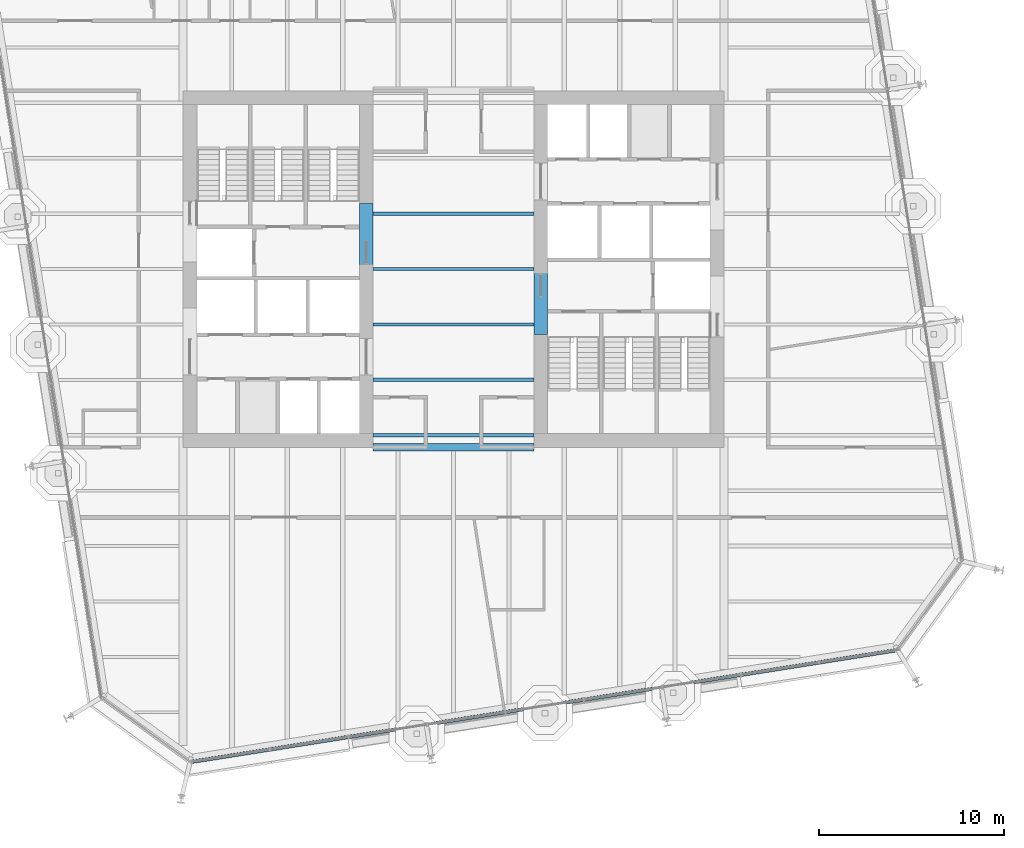
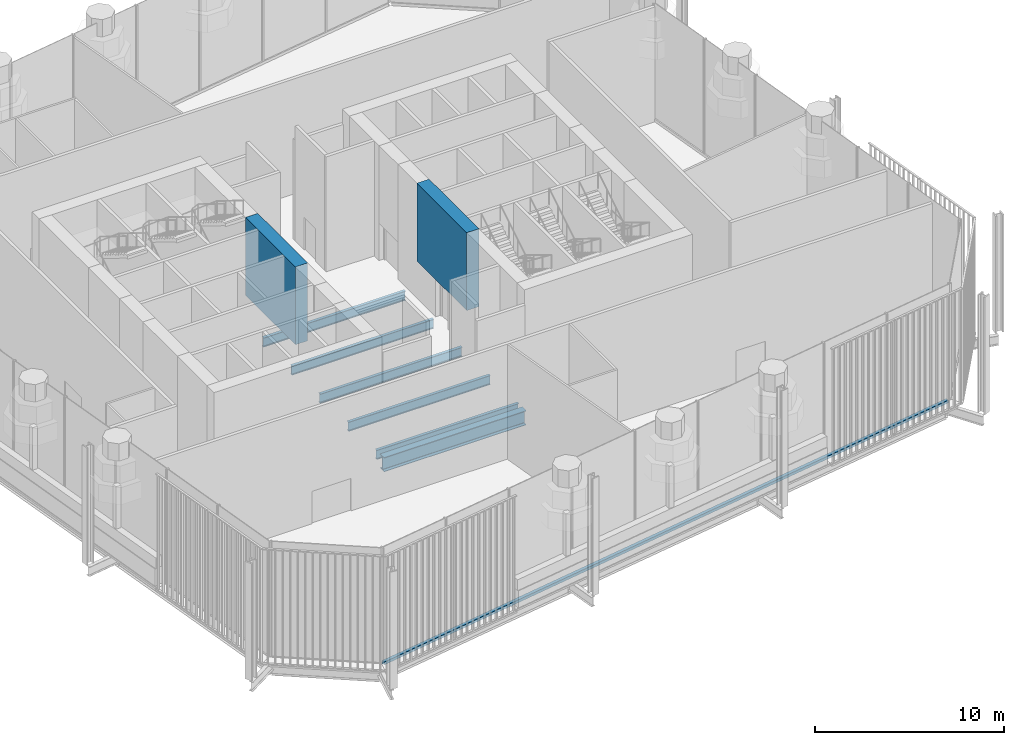
# One storey, part 4 of 19: 8 beams, 1 member, 1 element without a shape of its own.
"""IFC4 building model written with IfcOpenShell, lengths in metres."""

from ifc_helpers import new_model, si_unit, direction, frame, origin, origin_2d, place, context, subcontext, project, spatial, rectangle, i_section, extrude, material, layer, layer_set, material_profile, profile_set, type_object, element, aggregate, save


model = new_model("IFC4")

# Units and contexts
model_context = context("Model", 3, precision=1e-05, world=origin(), true_north=direction((0.0, 1.0)))
body_context = subcontext(model_context, "Body", "Model", "MODEL_VIEW")
ifc_project = project(units=[si_unit("LENGTHUNIT", "METRE"), si_unit("AREAUNIT", "SQUARE_METRE"), si_unit("VOLUMEUNIT", "CUBIC_METRE"), si_unit("PLANEANGLEUNIT", "RADIAN"), si_unit("MASSUNIT", "GRAM", prefix="KILO")], contexts=[model_context])

# Site, building, storey
site_placement = place(None, origin())
site = spatial("IfcSite", under=ifc_project, at=site_placement, CompositionType="ELEMENT")
building_placement = place(site_placement, origin())
building = spatial("IfcBuilding", under=site, at=building_placement, Name="Millrace Tower", CompositionType="ELEMENT")
storey_placement = place(building_placement, frame((0.0, 0.0, 172.39990234375)))
storey = spatial("IfcBuildingStorey", under=building, at=storey_placement, Name="L39", CompositionType="ELEMENT", Elevation=172.39990234375)

# Curtain wall, member
ifc_material_1 = material(Name="Aluminium and glass", Category="aluminium")
ifc_layer = layer(ifc_material_1, 0.199951171875)
ifc_layer_set = layer_set([ifc_layer], Name="Aluminium and glass")
curtain_wall_type = type_object("IfcCurtainWallType", Name="CW-4 sky garden winter glazing", PredefinedType="NOTDEFINED", material=ifc_layer_set)
curtain_wall_placement = place(storey_placement, origin())
curtain_wall = element("IfcCurtainWall", 1, at=curtain_wall_placement, inside=storey, type_object=curtain_wall_type, Name="Curtain wall C-F02 L39", PredefinedType="NOTDEFINED")
ifc_material_2 = material(Name="Aluminium", Category="aluminium")
ifc_material_profile_1 = material_profile(ifc_material_2, rectangle(XDim=0.199951171875, YDim=0.179931640625, at=origin_2d()))
ifc_profile_set_1 = profile_set([ifc_material_profile_1], Name="Aluminium")
member_type = type_object("IfcMemberType", Name="CW-4 sky garden winter glazing transom", PredefinedType="USERDEFINED", material=ifc_profile_set_1)
member_placement = place(storey_placement, frame((-14.12109375, -26.6708984375, 0.090087890625), z_axis=(0.987688350509, 0.156434402447, 0.0), x_axis=(-0.156434402447, 0.987688350509, 0.0)))
member = element("IfcMember", 2, at=member_placement, type_object=member_type, Name="CW4 transom C-F02.1", ObjectType="TRANSOM", PredefinedType="USERDEFINED", context=body_context, shape_type="SweptSolid", body=[
    extrude(rectangle(XDim=0.199951171875, YDim=0.179931640625, at=origin_2d()), origin(), (0.0, 0.0, 1.0), 38.499755859375),
])
aggregate(curtain_wall, [member])

# Beams
ifc_material_3 = material(Name="Concrete C70", Category="concrete")
ifc_material_profile_2 = material_profile(ifc_material_3, rectangle(XDim=0.75, YDim=5.0400390625, at=origin_2d()))
ifc_profile_set_2 = profile_set([ifc_material_profile_2], Name="Concrete C70")
beam_type_1 = type_object("IfcBeamType", Name="Coupling beam 750 x 5040 Concrete C70, 1300 opening", PredefinedType="BEAM", material=ifc_profile_set_2)
for number, where, z_axis, x_axis, name in (
    (3, (-4.72509765625, -1.74609375, 4.920166015625), (0.0, 1.0, 0.0), (-1.0, 0.0, 0.0), "Coupling beam W L39"),
    (4, (4.72509765625, 1.74609375, 4.920166015625), (0.0, -1.0, 0.0), (1.0, 0.0, 0.0), "Coupling beam E L39"),
):
    element("IfcBeam", number, at=place(storey_placement, frame(where, z_axis=z_axis, x_axis=x_axis)), inside=storey, type_object=beam_type_1, Name=name, PredefinedType="BEAM", context=body_context, shape_type="SweptSolid", body=[
        extrude(rectangle(XDim=0.75, YDim=5.0400390625, at=origin_2d()), origin(), (0.0, 0.0, 1.0), 5.2919921875),
    ])
ifc_material_4 = material(Name="Steel ASTM A992 Grade 50", Category="steel")
ifc_material_profile_3 = material_profile(ifc_material_4, i_section(OverallWidth=0.177978515625, OverallDepth=0.599365234375, WebThickness=0.010009765625, FlangeThickness=0.012939453125, FilletRadius=0.012939453125, at=origin_2d()))
ifc_profile_set_3 = profile_set([ifc_material_profile_3], Name="Steel ASTM A992 Grade 50")
beam_type_2 = type_object("IfcBeamType", Name="Floor beam W24x55", PredefinedType="JOIST", material=ifc_profile_set_3)
for number, where, z_axis, x_axis, name in (
    (5, (-4.35009765625, -9.0, -0.549560546875), (1.0, 0.0, 0.0), (0.0, 1.0, 0.0), "BM-C-L39-S1-S010"),
    (6, (-4.35009765625, -6.0, -0.549560546875), (1.0, 0.0, 0.0), (0.0, 1.0, 0.0), "BM-C-L39-S1-S013"),
    (7, (-4.35009765625, -3.0, -0.549560546875), (1.0, 0.0, 0.0), (0.0, 1.0, 0.0), "BM-C-L39-S1-S016"),
    (8, (-4.35009765625, 0.0, -0.549560546875), (1.0, 0.0, 0.0), (0.0, 1.0, 0.0), "BM-C-L39-S1-S019"),
    (9, (-4.35009765625, 3.0, -0.549560546875), (1.0, 0.0, 0.0), (0.0, 1.0, 0.0), "BM-C-L39-S1-S022"),
):
    element("IfcBeam", number, at=place(storey_placement, frame(where, z_axis=z_axis, x_axis=x_axis)), inside=storey, type_object=beam_type_2, Name=name, PredefinedType="JOIST", context=body_context, shape_type="SweptSolid", body=[
        extrude(i_section(OverallWidth=0.177978515625, OverallDepth=0.599365234375, WebThickness=0.010009765625, FlangeThickness=0.012939453125, FilletRadius=0.012939453125, at=origin_2d()), origin(), (0.0, 0.0, 1.0), 8.7001953125),
    ])
ifc_material_5 = material(Name="Steel ASTM A992 Grade 50", Category="steel")
ifc_material_profile_4 = material_profile(ifc_material_5, i_section(OverallWidth=0.419189453125, OverallDepth=0.927001953125, WebThickness=0.019287109375, FlangeThickness=0.031982421875, FilletRadius=0.024169921875, at=origin_2d()))
ifc_profile_set_4 = profile_set([ifc_material_profile_4], Name="Steel ASTM A992 Grade 50")
beam_type_3 = type_object("IfcBeamType", Name="Girder short span W36x231", PredefinedType="BEAM", material=ifc_profile_set_4)
beam_placement = place(storey_placement, frame((-4.35009765625, -9.64990234375, -0.71337890625), z_axis=(1.0, 0.0, 0.0), x_axis=(0.0, 1.0, 0.0)))
element("IfcBeam", 10, at=beam_placement, inside=storey, type_object=beam_type_3, Name="BM-C-L39-S1-G062", PredefinedType="BEAM", context=body_context, shape_type="SweptSolid", body=[
    extrude(i_section(OverallWidth=0.419189453125, OverallDepth=0.927001953125, WebThickness=0.019287109375, FlangeThickness=0.031982421875, FilletRadius=0.024169921875, at=origin_2d()), origin(), (0.0, 0.0, 1.0), 8.7001953125),
])

save(model, "model.ifc")
